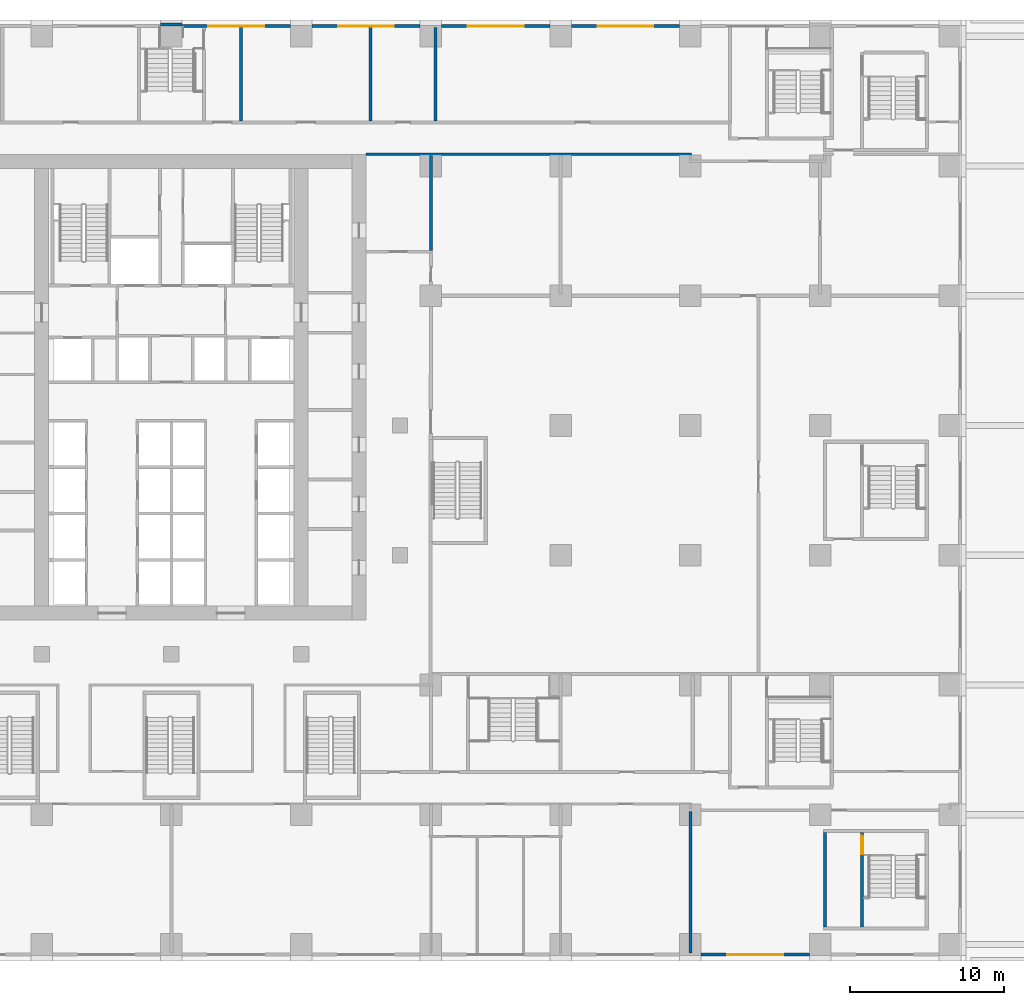
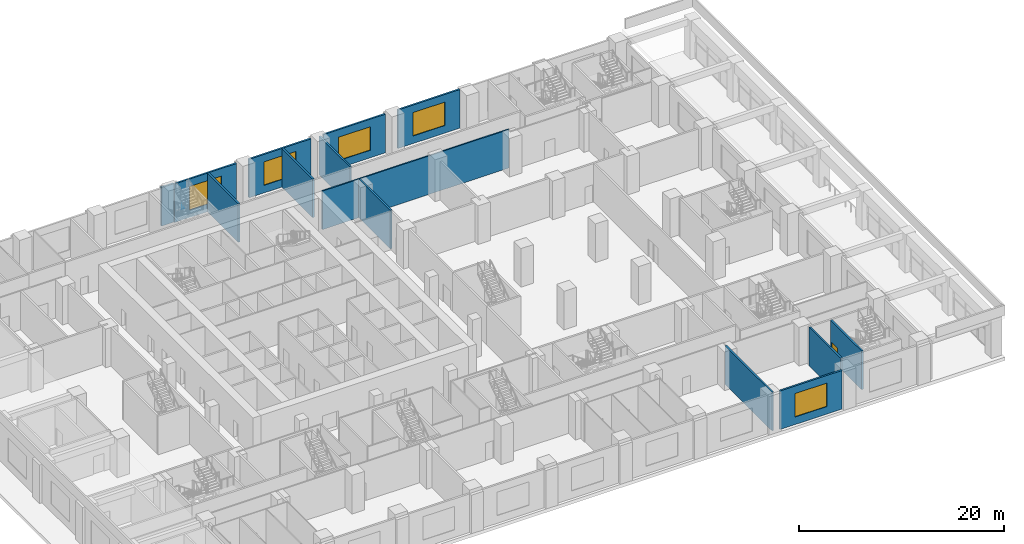
# One storey, part 15 of 29: 14 walls, 5 windows, 1 door, 6 openings.
"""IFC4 building model written with IfcOpenShell, lengths in metres."""

from ifc_helpers import new_model, si_unit, direction, frame, frame_2d, origin, place, context, subcontext, project, spatial, rectangle, extrude, material, layer, layer_set, type_object, element, fill, save


model = new_model("IFC4")

# Units and contexts
model_context = context("Model", 3, precision=1e-05, world=origin(), true_north=direction((0.0, 1.0)))
body_context = subcontext(model_context, "Body", "Model", "MODEL_VIEW")
ifc_project = project(units=[si_unit("LENGTHUNIT", "METRE"), si_unit("AREAUNIT", "SQUARE_METRE"), si_unit("VOLUMEUNIT", "CUBIC_METRE"), si_unit("PLANEANGLEUNIT", "RADIAN"), si_unit("MASSUNIT", "GRAM", prefix="KILO")], contexts=[model_context])

# Site, building, storey
site_placement = place(None, origin())
site = spatial("IfcSite", under=ifc_project, at=site_placement, CompositionType="ELEMENT")
building_placement = place(site_placement, origin())
building = spatial("IfcBuilding", under=site, at=building_placement, Name="Vermilion Ogive Tower", CompositionType="ELEMENT")
storey_placement = place(building_placement, frame((0.0, 0.0, 7.5)))
storey = spatial("IfcBuildingStorey", under=building, at=storey_placement, Name="L01", CompositionType="ELEMENT", Elevation=7.5)

# Walls
ifc_material_1 = material(Name="Gypsum board partition on steel studs", Category="steel")
ifc_layer_1 = layer(ifc_material_1, 0.14990234375)
ifc_layer_set_1 = layer_set([ifc_layer_1], Name="Partition 150 corridor")
wall_type_1 = type_object("IfcWallType", Name="Partition 150 corridor", PredefinedType="PARTITIONING", material=ifc_layer_set_1)
wall_1_placement = place(storey_placement, frame((12.60107421875, 21.75, 0.0), z_axis=(0.0, 0.0, 1.0), x_axis=(1.0, 0.0, 0.0)))
element("IfcWall", 1, at=wall_1_placement, inside=storey, type_object=wall_type_1, Name="L01-FS-W-W032", PredefinedType="PARTITIONING", context=body_context, shape_type="SweptSolid", body=[
    extrude(rectangle(XDim=21.073974609375, YDim=0.14990234375, at=frame_2d((10.537109375, 0.0))), origin(), (0.0, 0.0, 1.0), 4.60009765625),
])
ifc_material_2 = material(Name="Gypsum board partition on steel studs", Category="steel")
ifc_layer_2 = layer(ifc_material_2, 0.199951171875)
ifc_layer_set_2 = layer_set([ifc_layer_2], Name="Partition 200 party")
wall_type_2 = type_object("IfcWallType", Name="Partition 200 party", PredefinedType="PARTITIONING", material=ifc_layer_set_2)
for number, where, z_axis, x_axis, name in (
    (2, (4.5, 23.925048828125, 0.0), (0.0, 0.0, 1.0), (0.0, 1.0, 0.0), "L01-FS-W-W070"),
    (3, (12.89990234375, 23.925048828125, 0.0), (0.0, 0.0, 1.0), (0.0, 1.0, 0.0), "L01-FS-W-W073"),
):
    element("IfcWall", number, at=place(storey_placement, frame(where, z_axis=z_axis, x_axis=x_axis)), inside=storey, type_object=wall_type_2, Name=name, PredefinedType="PARTITIONING", context=body_context, shape_type="SweptSolid", body=[
        extrude(rectangle(XDim=6.02490234375, YDim=0.199951171875, at=frame_2d((3.012451171875, 0.0))), origin(), (0.0, 0.0, 1.0), 4.60009765625),
    ])
wall_2_placement = place(storey_placement, frame((16.800048828125, 15.52490234375, 0.0), z_axis=(0.0, 0.0, 1.0), x_axis=(0.0, 1.0, 0.0)))
element("IfcWall", 4, at=wall_2_placement, inside=storey, type_object=wall_type_2, Name="L01-FS-W-W078", PredefinedType="PARTITIONING", context=body_context, shape_type="SweptSolid", body=[
    extrude(rectangle(XDim=6.150146484375, YDim=0.199951171875, at=frame_2d((3.0751953125, 0.0))), origin(), (0.0, 0.0, 1.0), 4.60009765625),
])
wall_3_placement = place(storey_placement, frame((17.10009765625, 23.925048828125, 0.0), z_axis=(0.0, 0.0, 1.0), x_axis=(0.0, 1.0, 0.0)))
element("IfcWall", 5, at=wall_3_placement, inside=storey, type_object=wall_type_2, Name="L01-FS-W-W079", PredefinedType="PARTITIONING", context=body_context, shape_type="SweptSolid", body=[
    extrude(rectangle(XDim=6.02490234375, YDim=0.199951171875, at=frame_2d((3.012451171875, 0.0))), origin(), (0.0, 0.0, 1.0), 4.60009765625),
])
wall_4_placement = place(storey_placement, frame((33.60009765625, -29.949951171875, 0.0), z_axis=(0.0, 0.0, 1.0), x_axis=(0.0, 1.0, 0.0)))
element("IfcWall", 6, at=wall_4_placement, inside=storey, type_object=wall_type_2, Name="L01-FS-W-W087", PredefinedType="PARTITIONING", context=body_context, shape_type="SweptSolid", body=[
    extrude(rectangle(XDim=9.175048828125, YDim=0.199951171875, at=frame_2d((4.58740234375, 0.0))), origin(), (0.0, 0.0, 1.0), 4.60009765625),
])
wall_5_placement = place(storey_placement, frame((42.300048828125, -28.25, 0.0), z_axis=(0.0, 0.0, 1.0), x_axis=(0.0, 1.0, 0.0)))
element("IfcWall", 7, at=wall_5_placement, inside=storey, type_object=wall_type_2, Name="L01-FS-W-W099", PredefinedType="PARTITIONING", context=body_context, shape_type="SweptSolid", body=[
    extrude(rectangle(XDim=6.10009765625, YDim=0.199951171875, at=frame_2d((3.050048828125, 0.0))), origin(), (0.0, 0.0, 1.0), 4.60009765625),
])

# Wall, opening, door
ifc_material_3 = material(Name="Concrete B60", Category="concrete")
ifc_layer_3 = layer(ifc_material_3, 0.199951171875)
ifc_layer_set_3 = layer_set([ifc_layer_3], Name="Stair shaft wall 200 Concrete B60")
wall_type_3 = type_object("IfcWallType", Name="Stair shaft wall 200 Concrete B60", PredefinedType="SOLIDWALL", material=ifc_layer_set_3)
wall_6_placement = place(storey_placement, frame((44.699951171875, -28.25, 0.0), z_axis=(0.0, 0.0, 1.0), x_axis=(0.0, 1.0, 0.0)))
wall_6 = element("IfcWall", 8, at=wall_6_placement, inside=storey, type_object=wall_type_3, Name="L01-FS-W-W106", PredefinedType="SOLIDWALL", context=body_context, shape_type="SweptSolid", body=[
    extrude(rectangle(XDim=6.10009765625, YDim=0.199951171875, at=frame_2d((3.050048828125, 0.0))), origin(), (0.0, 0.0, 1.0), 4.60009765625),
])
opening_1_placement = place(wall_6_placement, frame((4.7001953125, 0.0, 0.0)))
opening_1 = element("IfcOpeningElement", 9, at=opening_1_placement, cuts=wall_6, Name="Opening L01S009", PredefinedType="OPENING", context=body_context, shape_type="SweptSolid", body=[
    extrude(rectangle(XDim=1.199951171875, YDim=2.10009765625, at=frame_2d((0.60009765625, 1.050048828125))), frame((0.0, 0.10986328125, 0.0), z_axis=(0.0, -1.0, 0.0), x_axis=(1.0, 0.0, 0.0)), (0.0, 0.0, 1.0), 0.219970703125),
])
ifc_material_4 = material(Name="Timber door leaf", Category="wood")
door_type = type_object("IfcDoorType", Name="Stair door 1200 x 2100 FD60S", OperationType="SINGLE_SWING_LEFT", PredefinedType="DOOR", material=ifc_material_4)
door_placement = place(opening_1_placement, origin())
door = element("IfcDoor", 10, at=door_placement, inside=storey, type_object=door_type, Name="L01-FS-D-D009", OperationType="DOUBLE_DOOR_SINGLE_SWING", OverallHeight=2.10009765625, OverallWidth=1.199951171875, PredefinedType="DOOR", context=body_context, shape_type="SweptSolid", body=[
    extrude(rectangle(XDim=1.199951171875, YDim=2.10009765625, at=frame_2d((0.60009765625, 1.050048828125))), frame((0.0, 0.02490234375, 0.0), z_axis=(0.0, -1.0, 0.0), x_axis=(1.0, 0.0, 0.0)), (0.0, 0.0, 1.0), 0.050048828125),
])
fill(opening_1, door)

# Wall, opening, window
wall_7_placement = place(storey_placement, frame((0.699951171875, 30.050048828125, 0.0), z_axis=(0.0, 0.0, 1.0), x_axis=(1.0, 0.0, 0.0)))
wall_7 = element("IfcWall", 11, at=wall_7_placement, inside=storey, type_object=wall_type_3, Name="Window wall N6", PredefinedType="SOLIDWALL", context=body_context, shape_type="SweptSolid", body=[
    extrude(rectangle(XDim=7.0, YDim=0.199951171875, at=frame_2d((3.5, 0.0))), origin(), (0.0, 0.0, 1.0), 4.60009765625),
])
opening_2_placement = place(wall_7_placement, frame((1.699951171875, 0.0, 0.89990234375)))
opening_2 = element("IfcOpeningElement", 12, at=opening_2_placement, cuts=wall_7, Name="Opening P-N6", PredefinedType="OPENING", context=body_context, shape_type="SweptSolid", body=[
    extrude(rectangle(XDim=3.60009765625, YDim=2.800048828125, at=frame_2d((1.800048828125, 1.39990234375))), frame((0.0, 0.10986328125, 0.0), z_axis=(0.0, -1.0, 0.0), x_axis=(1.0, 0.0, 0.0)), (0.0, 0.0, 1.0), 0.219970703125),
])
ifc_material_5 = material(Name="Aluminium framed double glazing", Category="aluminium")
window_type = type_object("IfcWindowType", Name="Podium window P 3600x2800 sill 900", PartitioningType="SINGLE_PANEL", PredefinedType="WINDOW", material=ifc_material_5)
window_1_placement = place(opening_2_placement, origin())
window_1 = element("IfcWindow", 13, at=window_1_placement, inside=storey, type_object=window_type, Name="Window N6", OverallHeight=2.800048828125, OverallWidth=3.60009765625, PartitioningType="SINGLE_PANEL", PredefinedType="WINDOW", context=body_context, shape_type="SweptSolid", body=[
    extrude(rectangle(XDim=3.60009765625, YDim=2.800048828125, at=frame_2d((1.800048828125, 1.39990234375))), frame((0.0, 0.030029296875, 0.0), z_axis=(0.0, -1.0, 0.0), x_axis=(1.0, 0.0, 0.0)), (0.0, 0.0, 1.0), 0.06005859375),
])
fill(opening_2, window_1)

# Wall
wall_8_placement = place(storey_placement, frame((-0.699951171875, 30.14990234375, 0.0), z_axis=(0.0, 0.0, 1.0), x_axis=(1.0, 0.0, 0.0)))
element("IfcWall", 14, at=wall_8_placement, inside=storey, type_object=wall_type_3, Name="L01-SW-R009-N1", PredefinedType="SOLIDWALL", context=body_context, shape_type="SweptSolid", body=[
    extrude(rectangle(XDim=1.39990234375, YDim=0.199951171875, at=frame_2d((0.699951171875, 0.0))), origin(), (0.0, 0.0, 1.0), 4.60009765625),
])

# Wall, opening, window
ifc_material_6 = material(Name="Aluminium window wall framing", Category="aluminium")
ifc_layer_4 = layer(ifc_material_6, 0.199951171875)
ifc_layer_set_4 = layer_set([ifc_layer_4], Name="Window wall")
wall_type_4 = type_object("IfcWallType", Name="Window wall", PredefinedType="STANDARD", material=ifc_layer_set_4)
wall_9_placement = place(storey_placement, frame((34.300048828125, -30.050048828125, 0.0), z_axis=(0.0, 0.0, 1.0), x_axis=(1.0, 0.0, 0.0)))
wall_9 = element("IfcWall", 15, at=wall_9_placement, inside=storey, type_object=wall_type_4, Name="Window wall S9", PredefinedType="STANDARD", context=body_context, shape_type="SweptSolid", body=[
    extrude(rectangle(XDim=7.0, YDim=0.199951171875, at=frame_2d((3.5, 0.0))), origin(), (0.0, 0.0, 1.0), 4.60009765625),
])
opening_3_placement = place(wall_9_placement, frame((1.699951171875, 0.0, 0.89990234375)))
opening_3 = element("IfcOpeningElement", 16, at=opening_3_placement, cuts=wall_9, Name="Opening P-S9", PredefinedType="OPENING", context=body_context, shape_type="SweptSolid", body=[
    extrude(rectangle(XDim=3.60009765625, YDim=2.800048828125, at=frame_2d((1.800048828125, 1.39990234375))), frame((0.0, 0.10986328125, 0.0), z_axis=(0.0, -1.0, 0.0), x_axis=(1.0, 0.0, 0.0)), (0.0, 0.0, 1.0), 0.219970703125),
])
window_2_placement = place(opening_3_placement, origin())
window_2 = element("IfcWindow", 17, at=window_2_placement, inside=storey, type_object=window_type, Name="Window S9", OverallHeight=2.800048828125, OverallWidth=3.60009765625, PartitioningType="SINGLE_PANEL", PredefinedType="WINDOW", context=body_context, shape_type="SweptSolid", body=[
    extrude(rectangle(XDim=3.60009765625, YDim=2.800048828125, at=frame_2d((1.800048828125, 1.39990234375))), frame((0.0, 0.030029296875, 0.0), z_axis=(0.0, -1.0, 0.0), x_axis=(1.0, 0.0, 0.0)), (0.0, 0.0, 1.0), 0.06005859375),
])
fill(opening_3, window_2)

wall_10_placement = place(storey_placement, frame((32.89990234375, 30.050048828125, 0.0), z_axis=(0.0, 0.0, 1.0), x_axis=(-1.0, 0.0, 0.0)))
wall_10 = element("IfcWall", 18, at=wall_10_placement, inside=storey, type_object=wall_type_4, Name="Window wall N3", PredefinedType="STANDARD", context=body_context, shape_type="SweptSolid", body=[
    extrude(rectangle(XDim=7.0, YDim=0.199951171875, at=frame_2d((3.5, 0.0))), origin(), (0.0, 0.0, 1.0), 4.60009765625),
])
opening_4_placement = place(wall_10_placement, frame((1.699951171875, 0.0, 0.89990234375)))
opening_4 = element("IfcOpeningElement", 19, at=opening_4_placement, cuts=wall_10, Name="Opening P-N3", PredefinedType="OPENING", context=body_context, shape_type="SweptSolid", body=[
    extrude(rectangle(XDim=3.60009765625, YDim=2.800048828125, at=frame_2d((1.800048828125, 1.39990234375))), frame((0.0, 0.10986328125, 0.0), z_axis=(0.0, -1.0, 0.0), x_axis=(1.0, 0.0, 0.0)), (0.0, 0.0, 1.0), 0.219970703125),
])
window_3_placement = place(opening_4_placement, origin())
window_3 = element("IfcWindow", 20, at=window_3_placement, inside=storey, type_object=window_type, Name="Window N3", OverallHeight=2.800048828125, OverallWidth=3.60009765625, PartitioningType="SINGLE_PANEL", PredefinedType="WINDOW", context=body_context, shape_type="SweptSolid", body=[
    extrude(rectangle(XDim=3.60009765625, YDim=2.800048828125, at=frame_2d((1.800048828125, 1.39990234375))), frame((0.0, 0.030029296875, 0.0), z_axis=(0.0, -1.0, 0.0), x_axis=(1.0, 0.0, 0.0)), (0.0, 0.0, 1.0), 0.06005859375),
])
fill(opening_4, window_3)

wall_11_placement = place(storey_placement, frame((24.5, 30.050048828125, 0.0), z_axis=(0.0, 0.0, 1.0), x_axis=(-1.0, 0.0, 0.0)))
wall_11 = element("IfcWall", 21, at=wall_11_placement, inside=storey, type_object=wall_type_4, Name="Window wall N4", PredefinedType="STANDARD", context=body_context, shape_type="SweptSolid", body=[
    extrude(rectangle(XDim=7.0, YDim=0.199951171875, at=frame_2d((3.5, 0.0))), origin(), (0.0, 0.0, 1.0), 4.60009765625),
])
opening_5_placement = place(wall_11_placement, frame((1.699951171875, 0.0, 0.89990234375)))
opening_5 = element("IfcOpeningElement", 22, at=opening_5_placement, cuts=wall_11, Name="Opening P-N4", PredefinedType="OPENING", context=body_context, shape_type="SweptSolid", body=[
    extrude(rectangle(XDim=3.60009765625, YDim=2.800048828125, at=frame_2d((1.800048828125, 1.39990234375))), frame((0.0, 0.10986328125, 0.0), z_axis=(0.0, -1.0, 0.0), x_axis=(1.0, 0.0, 0.0)), (0.0, 0.0, 1.0), 0.219970703125),
])
window_4_placement = place(opening_5_placement, origin())
window_4 = element("IfcWindow", 23, at=window_4_placement, inside=storey, type_object=window_type, Name="Window N4", OverallHeight=2.800048828125, OverallWidth=3.60009765625, PartitioningType="SINGLE_PANEL", PredefinedType="WINDOW", context=body_context, shape_type="SweptSolid", body=[
    extrude(rectangle(XDim=3.60009765625, YDim=2.800048828125, at=frame_2d((1.800048828125, 1.39990234375))), frame((0.0, 0.030029296875, 0.0), z_axis=(0.0, -1.0, 0.0), x_axis=(1.0, 0.0, 0.0)), (0.0, 0.0, 1.0), 0.06005859375),
])
fill(opening_5, window_4)

wall_12_placement = place(storey_placement, frame((16.10009765625, 30.050048828125, 0.0), z_axis=(0.0, 0.0, 1.0), x_axis=(-1.0, 0.0, 0.0)))
wall_12 = element("IfcWall", 24, at=wall_12_placement, inside=storey, type_object=wall_type_4, Name="Window wall N5", PredefinedType="STANDARD", context=body_context, shape_type="SweptSolid", body=[
    extrude(rectangle(XDim=7.0, YDim=0.199951171875, at=frame_2d((3.5, 0.0))), origin(), (0.0, 0.0, 1.0), 4.60009765625),
])
opening_6_placement = place(wall_12_placement, frame((1.699951171875, 0.0, 0.89990234375)))
opening_6 = element("IfcOpeningElement", 25, at=opening_6_placement, cuts=wall_12, Name="Opening P-N5", PredefinedType="OPENING", context=body_context, shape_type="SweptSolid", body=[
    extrude(rectangle(XDim=3.60009765625, YDim=2.800048828125, at=frame_2d((1.800048828125, 1.39990234375))), frame((0.0, 0.10986328125, 0.0), z_axis=(0.0, -1.0, 0.0), x_axis=(1.0, 0.0, 0.0)), (0.0, 0.0, 1.0), 0.219970703125),
])
window_5_placement = place(opening_6_placement, origin())
window_5 = element("IfcWindow", 26, at=window_5_placement, inside=storey, type_object=window_type, Name="Window N5", OverallHeight=2.800048828125, OverallWidth=3.60009765625, PartitioningType="SINGLE_PANEL", PredefinedType="WINDOW", context=body_context, shape_type="SweptSolid", body=[
    extrude(rectangle(XDim=3.60009765625, YDim=2.800048828125, at=frame_2d((1.800048828125, 1.39990234375))), frame((0.0, 0.030029296875, 0.0), z_axis=(0.0, -1.0, 0.0), x_axis=(1.0, 0.0, 0.0)), (0.0, 0.0, 1.0), 0.06005859375),
])
fill(opening_6, window_5)

save(model, "model.ifc")
